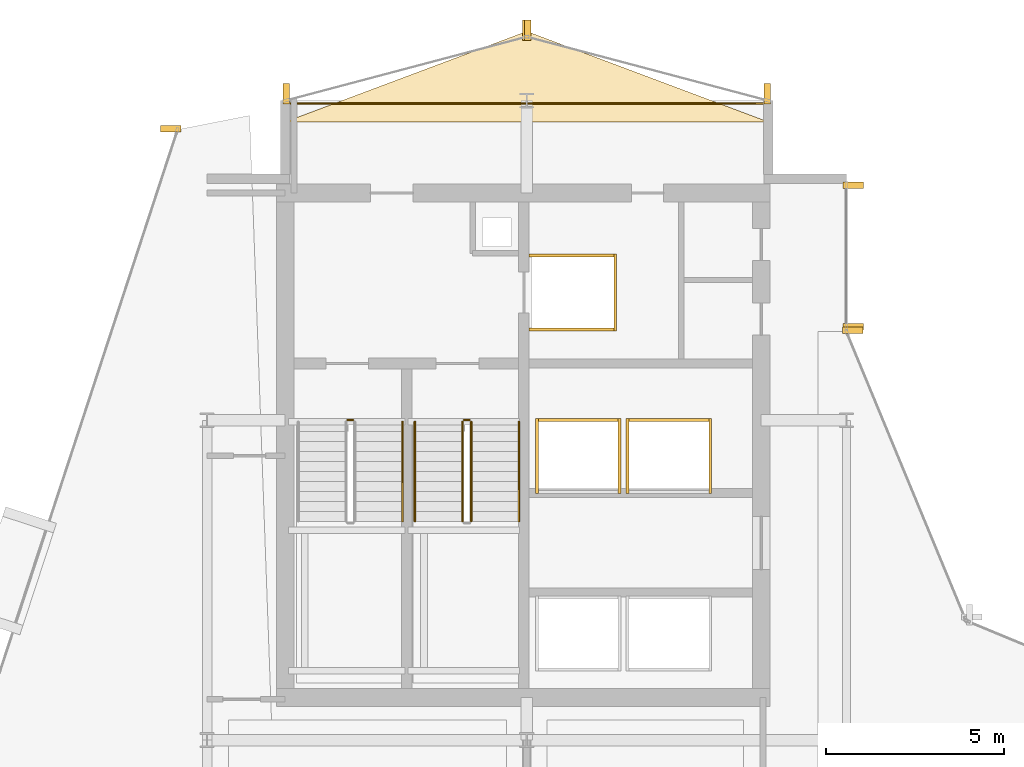
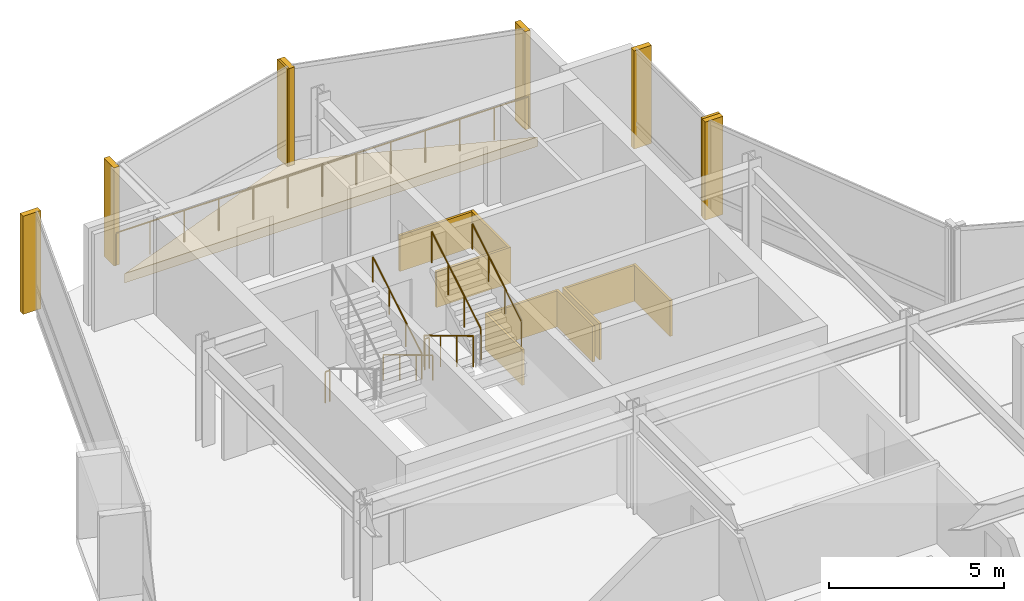
# One storey, part 27 of 27: 18 coverings, 8 railings.
"""IFC4 building model written with IfcOpenShell, lengths in metres."""

import ifcopenshell
import ifcopenshell.guid

model = None  # the IFC model being written
_history = None  # IfcOwnerHistory: only IFC2X3 demands one
_inside = {}  # id of a spatial element -> (the spatial element, [elements in it])
_under = {}  # id of a project, library or spatial element -> (it, [spatial elements below it])
_declared = {}  # id of a project -> (the project, [libraries it declares])
_typed = {}  # id of a type object -> (the type object, [elements of that type])
_made_of = {}  # id of a material, layer set ... -> (it, [elements and type objects made of it])


def new_model(schema):
    """Start an empty IFC model of exactly this schema.

    Asked for "IFC4X3", IfcOpenShell would pick the latest addendum, in which some entities
    have other attributes; the version numbers below select the first issue.
    IFC2X3 requires an IfcOwnerHistory on every rooted entity: one is made here for all.
    """
    global model, _history
    if schema == "IFC4X3":
        model = ifcopenshell.file(schema_version=(4, 3, 0, 0))
    else:
        model = ifcopenshell.file(schema=schema)
    _inside.clear()
    _under.clear()
    _declared.clear()
    _typed.clear()
    _made_of.clear()
    _history = None
    if model.schema == "IFC2X3":
        org = make("IfcOrganization", Name="unknown")
        user = make(
            "IfcPersonAndOrganization",
            ThePerson=make("IfcPerson", FamilyName="unknown"),
            TheOrganization=org,
        )
        app = make(
            "IfcApplication",
            ApplicationDeveloper=org,
            Version="unknown",
            ApplicationFullName="unknown",
            ApplicationIdentifier="unknown",
        )
        _history = make(
            "IfcOwnerHistory",
            OwningUser=user,
            OwningApplication=app,
            ChangeAction="ADDED",
            CreationDate=0,
        )
    return model


def make(cls, **values):
    """One entity of the class cls with the attributes given. An attribute that is None is left unset."""
    return model.create_entity(
        cls, **{name: value for name, value in values.items() if value is not None}
    )


def rooted(cls, **values):
    """An entity with a GlobalId (a new one), such as an element, a storey or a relation."""
    return make(cls, GlobalId=ifcopenshell.guid.new(), OwnerHistory=_history, **values)


def si_unit(unit_type, name, prefix=None):
    """IfcSIUnit, for example si_unit("LENGTHUNIT", "METRE", prefix="MILLI")."""
    return make("IfcSIUnit", UnitType=unit_type, Prefix=prefix, Name=name)


def assignment(units):
    """IfcUnitAssignment: the units of a project."""
    return None if units is None else make("IfcUnitAssignment", Units=units)


def point(xyz):
    """IfcCartesianPoint."""
    return None if xyz is None else make("IfcCartesianPoint", Coordinates=xyz)


def direction(xyz):
    """IfcDirection."""
    return None if xyz is None else make("IfcDirection", DirectionRatios=xyz)


def frame(location, z_axis=None, x_axis=None):
    """IfcAxis2Placement3D, a coordinate frame: its origin and axes. An axis left out is left unset."""
    return make(
        "IfcAxis2Placement3D",
        Location=point(location),
        Axis=direction(z_axis),
        RefDirection=direction(x_axis),
    )


def frame_2d(location, x_axis=None):
    """IfcAxis2Placement2D, a coordinate frame in the plane: its origin and x axis."""
    return make(
        "IfcAxis2Placement2D", Location=point(location), RefDirection=direction(x_axis)
    )


def origin():
    """The frame at (0, 0, 0) with its axes left unset."""
    return frame((0.0, 0.0, 0.0))


def origin_2d():
    """The frame at (0, 0) in the plane with its x axis left unset."""
    return frame_2d((0.0, 0.0))


def place(relative_to, where):
    """IfcLocalPlacement: puts the frame where relative to a parent placement (None: the world)."""
    return make(
        "IfcLocalPlacement", PlacementRelTo=relative_to, RelativePlacement=where
    )


def context(
    kind, dimensions, precision=None, world=None, true_north=None, identifier=None
):
    """IfcGeometricRepresentationContext, for example the 3D "Model" context."""
    return make(
        "IfcGeometricRepresentationContext",
        ContextIdentifier=identifier,
        ContextType=kind,
        CoordinateSpaceDimension=dimensions,
        Precision=precision,
        WorldCoordinateSystem=world,
        TrueNorth=true_north,
    )


def subcontext(parent, identifier, kind, view, scale=None):
    """IfcGeometricRepresentationSubContext, for example "Body" below "Model"."""
    return make(
        "IfcGeometricRepresentationSubContext",
        ContextIdentifier=identifier,
        ContextType=kind,
        ParentContext=parent,
        TargetScale=scale,
        TargetView=view,
    )


def project(units=None, contexts=None):
    """IfcProject with its units and contexts."""
    return rooted(
        "IfcProject",
        Name="project",
        RepresentationContexts=contexts,
        UnitsInContext=assignment(units),
    )


def spatial(cls, under=None, at=None, **own):
    """A site, building, storey or space (cls), placed at a placement, below another one or the project."""
    s = rooted(cls, ObjectPlacement=at, **own)
    if under is not None:
        _under.setdefault(under.id(), (under, []))[1].append(s)
    return s


def polyline(points):
    """IfcPolyline through the points."""
    return make("IfcPolyline", Points=[point(p) for p in points])


def profile(cls, at=None, kind="AREA", **sizes):
    """A parametric profile (cls). Its sizes go by their IFC names, for example OverallWidth=200.0."""
    return make(cls, ProfileType=kind, Position=at, **sizes)


def rectangle(**sizes):
    """IfcRectangleProfileDef."""
    return profile("IfcRectangleProfileDef", **sizes)


def circle(**sizes):
    """IfcCircleProfileDef."""
    return profile("IfcCircleProfileDef", **sizes)


def outline(outer, holes=None, kind="AREA"):
    """IfcArbitraryClosedProfileDef: a profile drawn as a closed curve; with holes, ...WithVoids."""
    if holes is None:
        return make("IfcArbitraryClosedProfileDef", ProfileType=kind, OuterCurve=outer)
    return make(
        "IfcArbitraryProfileDefWithVoids",
        ProfileType=kind,
        OuterCurve=outer,
        InnerCurves=holes,
    )


def extrude(swept, where, along, depth):
    """IfcExtrudedAreaSolid: the profile swept, set in the frame where, extruded along a direction by depth."""
    return make(
        "IfcExtrudedAreaSolid",
        SweptArea=swept,
        Position=where,
        ExtrudedDirection=direction(along),
        Depth=depth,
    )


def shape(context_of_items, identifier, shape_type, items):
    """IfcShapeRepresentation: the items that make up one representation, for example the "Body"."""
    return make(
        "IfcShapeRepresentation",
        ContextOfItems=context_of_items,
        RepresentationIdentifier=identifier,
        RepresentationType=shape_type,
        Items=items,
    )


def material(Name=None, Category=None):
    """IfcMaterial."""
    return make("IfcMaterial", Name=Name, Category=Category)


def layer(
    of_material, thickness, ventilated=None, Name=None, Category=None, Priority=None
):
    """IfcMaterialLayer: one layer of a wall or slab, of a material (None: an air gap)."""
    return make(
        "IfcMaterialLayer",
        Material=of_material,
        LayerThickness=thickness,
        IsVentilated=ventilated,
        Name=Name,
        Category=Category,
        Priority=Priority,
    )


def layer_set(layers, Name=None):
    """IfcMaterialLayerSet."""
    return make("IfcMaterialLayerSet", MaterialLayers=layers, LayerSetName=Name)


def made_of(thing, what):
    """Note that an element or type object is made of a material, layer set ...; save() writes the relation."""
    if what is not None:
        _made_of.setdefault(what.id(), (what, []))[1].append(thing)
    return thing


def type_object(cls, material=None, **own):
    """A type object (cls), such as IfcWallType, which elements share."""
    return made_of(rooted(cls, **own), material)


def element(
    cls,
    number,
    at=None,
    inside=None,
    cuts=None,
    type_object=None,
    material=None,
    context=None,
    identifier="Body",
    shape_type=None,
    held_by="IfcProductDefinitionShape",
    body=None,
    shapes=None,
    **own,
):
    """One element of the class cls, such as IfcWall. Its Tag is "e" and its number.

    at: its placement. inside: the storey or other place that contains it. cuts: it is an
    opening in that element (IfcRelVoidsElement). A single representation is given by context,
    identifier, shape_type and body (its items); several are given by shapes. held_by: the class
    of the entity that holds the representations. save() writes the other relations.
    """
    e = rooted(cls, Tag="e%d" % number, ObjectPlacement=at, **own)
    if body is not None:
        shapes = [shape(context, identifier, shape_type, body)]
    if shapes is not None:
        e.Representation = make(held_by, Representations=shapes)
    if inside is not None:
        _inside.setdefault(inside.id(), (inside, []))[1].append(e)
    if cuts is not None:
        rooted(
            "IfcRelVoidsElement", RelatingBuildingElement=cuts, RelatedOpeningElement=e
        )
    if type_object is not None:
        _typed.setdefault(type_object.id(), (type_object, []))[1].append(e)
    return made_of(e, material)


def aggregate(whole, parts):
    """IfcRelAggregates: a whole, such as a stair, and the parts it consists of."""
    return rooted("IfcRelAggregates", RelatingObject=whole, RelatedObjects=parts)


def save(model, path):
    """Write the relations noted so far, then the file.

    IfcRelAggregates (storeys below a building ...), IfcRelContainedInSpatialStructure (elements
    in a storey), IfcRelDefinesByType, IfcRelAssociatesMaterial and IfcRelDeclares: one each for
    every whole, place, type object, material and project.
    """
    for whole, parts in _under.values():
        aggregate(whole, parts)
    for where, things in _inside.values():
        rooted(
            "IfcRelContainedInSpatialStructure",
            RelatedElements=things,
            RelatingStructure=where,
        )
    for kind, things in _typed.values():
        rooted("IfcRelDefinesByType", RelatedObjects=things, RelatingType=kind)
    for what, things in _made_of.values():
        rooted("IfcRelAssociatesMaterial", RelatedObjects=things, RelatingMaterial=what)
    for by, libraries in _declared.values():
        rooted("IfcRelDeclares", RelatingContext=by, RelatedDefinitions=libraries)
    model.write(path)


model = new_model("IFC4")

# Units and contexts
model_context = context("Model", 3, precision=1e-05, world=origin(), true_north=direction((0.0, 1.0)))
body_context = subcontext(model_context, "Body", "Model", "MODEL_VIEW")
ifc_project = project(units=[si_unit("LENGTHUNIT", "METRE"), si_unit("AREAUNIT", "SQUARE_METRE"), si_unit("VOLUMEUNIT", "CUBIC_METRE"), si_unit("PLANEANGLEUNIT", "RADIAN"), si_unit("MASSUNIT", "GRAM", prefix="KILO")], contexts=[model_context])

# Site, building, storey
site_placement = place(None, origin())
site = spatial("IfcSite", under=ifc_project, at=site_placement, CompositionType="ELEMENT")
building_placement = place(site_placement, origin())
building = spatial("IfcBuilding", under=site, at=building_placement, Name="Solvaryn Broadcast Tower", CompositionType="ELEMENT")
storey_placement = place(building_placement, frame((0.0, 0.0, 174.199951171875)))
storey = spatial("IfcBuildingStorey", under=building, at=storey_placement, Name="L43", CompositionType="ELEMENT", Elevation=174.199951171875)

# Coverings
ifc_material_1 = material(Name="Fire-Rated Gypsum Shaftwall Liner", Category="concrete")
ifc_layer_1 = layer(ifc_material_1, 0.080078125)
ifc_layer_set_1 = layer_set([ifc_layer_1], Name="CV-SHAFT-LINER")
covering_type_1 = type_object("IfcCoveringType", Name="CV-SHAFT-LINER", PredefinedType="CLADDING", material=ifc_layer_set_1)
for number, where, z_axis, x_axis, name in (
    (1, (19.300048828125, 40.639892578125, 0.0), (0.0, 0.0, 1.0), (1.0, 0.0, 0.0), "L43 FL1 Hoistway Shaft Liner North"),
    (2, (19.300048828125, 38.56005859375, 0.0), (0.0, 0.0, 1.0), (1.0, 0.0, 0.0), "L43 FL1 Hoistway Shaft Liner South"),
):
    element("IfcCovering", number, at=place(storey_placement, frame(where, z_axis=z_axis, x_axis=x_axis)), inside=storey, type_object=covering_type_1, Name=name, PredefinedType="CLADDING", context=body_context, shape_type="SweptSolid", body=[
        extrude(rectangle(XDim=2.4599609375, YDim=0.080078125, at=origin_2d()), origin(), (0.0, 0.0, 1.0), 1.25),
    ])
covering_1_placement = place(storey_placement, frame((20.489990234375, 39.60009765625, 0.0), z_axis=(0.0, 0.0, 1.0), x_axis=(1.0, 0.0, 0.0)))
element("IfcCovering", 3, at=covering_1_placement, inside=storey, type_object=covering_type_1, Name="L43 FL1 Hoistway Shaft Liner East", PredefinedType="CLADDING", context=body_context, shape_type="SweptSolid", body=[
    extrude(rectangle(XDim=0.080078125, YDim=2.159912109375, at=origin_2d()), origin(), (0.0, 0.0, 1.0), 1.25),
])
covering_2_placement = place(storey_placement, frame((19.449951171875, 36.014892578125, 0.0), z_axis=(0.0, 0.0, 1.0), x_axis=(1.0, 0.0, 0.0)))
element("IfcCovering", 4, at=covering_2_placement, inside=storey, type_object=covering_type_1, Name="L43 PH3 Hoistway Shaft Liner North", PredefinedType="CLADDING", context=body_context, shape_type="SweptSolid", body=[
    extrude(rectangle(XDim=2.409912109375, YDim=0.080078125, at=origin_2d()), origin(), (0.0, 0.0, 1.0), 1.25),
])
for number, where, z_axis, x_axis, name in (
    (5, (20.614990234375, 35.0, 0.0), (0.0, 0.0, 1.0), (1.0, 0.0, 0.0), "L43 PH3 Hoistway Shaft Liner East"),
    (6, (18.284912109375, 35.0, 0.0), (0.0, 0.0, 1.0), (1.0, 0.0, 0.0), "L43 PH3 Hoistway Shaft Liner West"),
):
    element("IfcCovering", number, at=place(storey_placement, frame(where, z_axis=z_axis, x_axis=x_axis)), inside=storey, type_object=covering_type_1, Name=name, PredefinedType="CLADDING", context=body_context, shape_type="SweptSolid", body=[
        extrude(rectangle(XDim=0.080078125, YDim=2.110107421875, at=origin_2d()), origin(), (0.0, 0.0, 1.0), 1.25),
    ])
covering_3_placement = place(storey_placement, frame((22.0, 36.014892578125, 0.0), z_axis=(0.0, 0.0, 1.0), x_axis=(1.0, 0.0, 0.0)))
element("IfcCovering", 7, at=covering_3_placement, inside=storey, type_object=covering_type_1, Name="L43 PH4 Hoistway Shaft Liner North", PredefinedType="CLADDING", context=body_context, shape_type="SweptSolid", body=[
    extrude(rectangle(XDim=2.409912109375, YDim=0.080078125, at=origin_2d()), origin(), (0.0, 0.0, 1.0), 1.25),
])
for number, where, z_axis, x_axis, name in (
    (8, (23.1650390625, 35.0, 0.0), (0.0, 0.0, 1.0), (1.0, 0.0, 0.0), "L43 PH4 Hoistway Shaft Liner East"),
    (9, (20.8349609375, 35.0, 0.0), (0.0, 0.0, 1.0), (1.0, 0.0, 0.0), "L43 PH4 Hoistway Shaft Liner West"),
):
    element("IfcCovering", number, at=place(storey_placement, frame(where, z_axis=z_axis, x_axis=x_axis)), inside=storey, type_object=covering_type_1, Name=name, PredefinedType="CLADDING", context=body_context, shape_type="SweptSolid", body=[
        extrude(rectangle(XDim=0.080078125, YDim=2.110107421875, at=origin_2d()), origin(), (0.0, 0.0, 1.0), 1.25),
    ])
ifc_material_2 = material(Name="Extruded Architectural Terracotta Fin", Category="masonry")
ifc_layer_2 = layer(ifc_material_2, 0.179931640625)
ifc_layer_set_2 = layer_set([ifc_layer_2], Name="CV-TC-FIN")
covering_type_2 = type_object("IfcCoveringType", Name="CV-TC-FIN", PredefinedType="USERDEFINED", material=ifc_layer_set_2)
for number, where, z_axis, x_axis, name in (
    (10, (7.982666015625, 44.209716796875, 0.0), (0.0, 0.0, 1.0), (1.0, 0.0, 0.0), "L43 Terracotta Vertical Fin FIN-L43-DR1-M00"),
    (11, (27.1875, 42.6201171875, 0.0), (0.0, 0.0, 1.0), (1.0, 0.0, 0.0), "L43 Terracotta Vertical Fin FIN-L43-IV-M00"),
    (12, (27.1875, 38.6298828125, 0.0), (0.0, 0.0, 1.0), (1.0, 0.0, 0.0), "L43 Terracotta Vertical Fin FIN-L43-IV-M01"),
    (13, (27.177978515625, 38.541259765625, 0.0), (0.0, 0.0, 1.0), (1.0, 0.0, 0.0), "L43 Terracotta Vertical Fin FIN-L43-CN2-M01"),
):
    element("IfcCovering", number, at=place(storey_placement, frame(where, z_axis=z_axis, x_axis=x_axis)), inside=storey, type_object=covering_type_2, Name=name, ObjectType="FIN", PredefinedType="USERDEFINED", context=body_context, shape_type="SweptSolid", body=[
        extrude(rectangle(XDim=0.580078125, YDim=0.179931640625, at=origin_2d()), origin(), (0.0, 0.0, 1.0), 3.419921875),
    ])
for number, where, z_axis, x_axis, name in (
    (14, (24.77099609375, 45.1953125, 0.0), (0.0, 0.0, 1.0), (1.0, 0.0, 0.0), "L43 Terracotta Vertical Fin FIN-L43-NT1-M00"),
    (15, (18.029052734375, 46.979736328125, 0.0), (0.0, 0.0, 1.0), (1.0, 0.0, 0.0), "L43 Terracotta Vertical Fin FIN-L43-NT1-M01"),
    (16, (17.970947265625, 46.979736328125, 0.0), (0.0, 0.0, 1.0), (1.0, 0.0, 0.0), "L43 Terracotta Vertical Fin FIN-L43-NT2-M00"),
    (17, (11.22900390625, 45.1953125, 0.0), (0.0, 0.0, 1.0), (1.0, 0.0, 0.0), "L43 Terracotta Vertical Fin FIN-L43-NT2-M01"),
):
    element("IfcCovering", number, at=place(storey_placement, frame(where, z_axis=z_axis, x_axis=x_axis)), inside=storey, type_object=covering_type_2, Name=name, ObjectType="FIN", PredefinedType="USERDEFINED", context=body_context, shape_type="SweptSolid", body=[
        extrude(rectangle(XDim=0.179931640625, YDim=0.580078125, at=origin_2d()), origin(), (0.0, 0.0, 1.0), 3.419921875),
    ])
ifc_material_3 = material(Name="Sculpted Architectural Terracotta Wave Fascia", Category="masonry")
ifc_layer_3 = layer(ifc_material_3, 0.340087890625)
ifc_layer_set_3 = layer_set([ifc_layer_3], Name="CV-WAVE-TRAY")
covering_type_3 = type_object("IfcCoveringType", Name="CV-WAVE-TRAY", PredefinedType="CLADDING", material=ifc_layer_set_3)
covering_4_placement = place(storey_placement, frame((0.0, 0.0, -0.300048828125)))
element("IfcCovering", 18, at=covering_4_placement, inside=storey, type_object=covering_type_3, Name="L43 North Curved Wing Deck", PredefinedType="CLADDING", context=body_context, shape_type="SweptSolid", body=[
    extrude(outline(polyline([(11.199951171875, 44.39990234375), (24.800048828125, 44.39990234375), (18.0, 46.949951171875), (11.199951171875, 44.39990234375)])), origin(), (0.0, 0.0, 1.0), 0.330078125),
])

# Railings
ifc_material_4 = material(Name="Painted Steel Stair Well Guard", Category="steel")
railing_type_1 = type_object("IfcRailingType", Name="RL-STAIR-GUARD", PredefinedType="BALUSTRADE", material=ifc_material_4)
railing_1_placement = place(storey_placement, frame((12.9599609375, 36.010009765625, 0.0)))
element("IfcRailing", 19, at=railing_1_placement, inside=storey, type_object=railing_type_1, Name="L43 ST1 stair guard 4", PredefinedType="BALUSTRADE", context=body_context, shape_type="SweptSolid", body=[
    extrude(circle(Radius=0.02392578125, at=origin_2d()), frame((0.0, 0.0, 1.076171875), z_axis=(1.0, 0.0, 0.0), x_axis=(0.0, 1.0, 0.0)), (0.0, 0.0, 1.0), 0.150146484375),
    extrude(circle(Radius=0.02099609375, at=origin_2d()), origin(), (0.0, 0.0, 1.0), 1.052001953125),
    extrude(circle(Radius=0.02099609375, at=origin_2d()), frame((0.150146484375, 0.0, 0.0)), (0.0, 0.0, 1.0), 1.052001953125),
])
railing_2_placement = place(storey_placement, frame((16.18994140625, 35.9599609375, 0.168212890625)))
element("IfcRailing", 20, at=railing_2_placement, inside=storey, type_object=railing_type_1, Name="L43 ST2 stair guard 1", PredefinedType="BALUSTRADE", context=body_context, shape_type="SweptSolid", body=[
    extrude(circle(Radius=0.02392578125, at=origin_2d()), frame((0.0, 0.0, 1.076171875), z_axis=(0.0, -0.857242210791, 0.514913383045), x_axis=(1.0, 0.0, 0.0)), (0.0, 0.0, 1.0), 3.266357421875),
    extrude(circle(Radius=0.02099609375, at=origin_2d()), origin(), (0.0, 0.0, 1.0), 1.052001953125),
    extrude(circle(Radius=0.02099609375, at=origin_2d()), frame((0.0, -0.933349609375, 0.560546875)), (0.0, 0.0, 1.0), 1.052001953125),
    extrude(circle(Radius=0.02099609375, at=origin_2d()), frame((0.0, -1.86669921875, 1.121337890625)), (0.0, 0.0, 1.0), 1.052001953125),
    extrude(circle(Radius=0.02099609375, at=origin_2d()), frame((0.0, -2.800048828125, 1.681884765625)), (0.0, 0.0, 1.0), 1.052001953125),
])
railing_3_placement = place(storey_placement, frame((16.43994140625, 33.159912109375, 2.018310546875)))
element("IfcRailing", 21, at=railing_3_placement, inside=storey, type_object=railing_type_1, Name="L43 ST2 stair guard 3", PredefinedType="BALUSTRADE", context=body_context, shape_type="SweptSolid", body=[
    extrude(circle(Radius=0.02392578125, at=origin_2d()), frame((0.0, 0.0, 1.076171875), z_axis=(0.0, 0.857275202839, 0.514858452973), x_axis=(-1.0, 0.0, 0.0)), (0.0, 0.0, 1.0), 3.26611328125),
    extrude(circle(Radius=0.02099609375, at=origin_2d()), origin(), (0.0, 0.0, 1.0), 1.052001953125),
    extrude(circle(Radius=0.02099609375, at=origin_2d()), frame((0.0, 0.933349609375, 0.560546875)), (0.0, 0.0, 1.0), 1.052001953125),
    extrude(circle(Radius=0.02099609375, at=origin_2d()), frame((0.0, 1.86669921875, 1.12109375)), (0.0, 0.0, 1.0), 1.052001953125),
    extrude(circle(Radius=0.02099609375, at=origin_2d()), frame((0.0, 2.800048828125, 1.681640625)), (0.0, 0.0, 1.0), 1.052001953125),
])
railing_4_placement = place(storey_placement, frame((16.239990234375, 36.010009765625, 0.0)))
element("IfcRailing", 22, at=railing_4_placement, inside=storey, type_object=railing_type_1, Name="L43 ST2 stair guard 4", PredefinedType="BALUSTRADE", context=body_context, shape_type="SweptSolid", body=[
    extrude(circle(Radius=0.02392578125, at=origin_2d()), frame((0.0, 0.0, 1.076171875), z_axis=(1.0, 0.0, 0.0), x_axis=(0.0, 1.0, 0.0)), (0.0, 0.0, 1.0), 0.14990234375),
    extrude(circle(Radius=0.02099609375, at=origin_2d()), origin(), (0.0, 0.0, 1.0), 1.052001953125),
    extrude(circle(Radius=0.02099609375, at=origin_2d()), frame((0.14990234375, 0.0, 0.0)), (0.0, 0.0, 1.0), 1.052001953125),
])
ifc_material_5 = material(Name="Brushed Stainless Steel Tubular Handrail", Category="steel")
railing_type_2 = type_object("IfcRailingType", Name="RL-STAIR-HANDRAIL", PredefinedType="HANDRAIL", material=ifc_material_5)
railing_5_placement = place(storey_placement, frame((14.5, 33.159912109375, 2.018310546875)))
element("IfcRailing", 23, at=railing_5_placement, inside=storey, type_object=railing_type_2, Name="L43 ST1 stair handrail 2", PredefinedType="HANDRAIL", context=body_context, shape_type="SweptSolid", body=[
    extrude(circle(Radius=0.02392578125, at=origin_2d()), frame((0.0, 0.0, 0.8759765625), z_axis=(0.0, 0.857275202839, 0.514858452973), x_axis=(-1.0, 0.0, 0.0)), (0.0, 0.0, 1.0), 3.26611328125),
    extrude(circle(Radius=0.02099609375, at=origin_2d()), origin(), (0.0, 0.0, 1.0), 0.851806640625),
    extrude(circle(Radius=0.02099609375, at=origin_2d()), frame((0.0, 0.933349609375, 0.560546875)), (0.0, 0.0, 1.0), 0.851806640625),
    extrude(circle(Radius=0.02099609375, at=origin_2d()), frame((0.0, 1.86669921875, 1.12109375)), (0.0, 0.0, 1.0), 0.851806640625),
    extrude(circle(Radius=0.02099609375, at=origin_2d()), frame((0.0, 2.800048828125, 1.681640625)), (0.0, 0.0, 1.0), 0.851806640625),
])
railing_6_placement = place(storey_placement, frame((14.85009765625, 35.9599609375, 0.168212890625)))
element("IfcRailing", 24, at=railing_6_placement, inside=storey, type_object=railing_type_2, Name="L43 ST2 stair handrail 1", PredefinedType="HANDRAIL", context=body_context, shape_type="SweptSolid", body=[
    extrude(circle(Radius=0.02392578125, at=origin_2d()), frame((0.0, 0.0, 0.8759765625), z_axis=(0.0, -0.857242210791, 0.514913383045), x_axis=(1.0, 0.0, 0.0)), (0.0, 0.0, 1.0), 3.266357421875),
    extrude(circle(Radius=0.02099609375, at=origin_2d()), origin(), (0.0, 0.0, 1.0), 0.851806640625),
    extrude(circle(Radius=0.02099609375, at=origin_2d()), frame((0.0, -0.933349609375, 0.560546875)), (0.0, 0.0, 1.0), 0.851806640625),
    extrude(circle(Radius=0.02099609375, at=origin_2d()), frame((0.0, -1.86669921875, 1.121337890625)), (0.0, 0.0, 1.0), 0.851806640625),
    extrude(circle(Radius=0.02099609375, at=origin_2d()), frame((0.0, -2.800048828125, 1.681884765625)), (0.0, 0.0, 1.0), 0.851806640625),
])
railing_7_placement = place(storey_placement, frame((17.780029296875, 33.159912109375, 2.018310546875)))
element("IfcRailing", 25, at=railing_7_placement, inside=storey, type_object=railing_type_2, Name="L43 ST2 stair handrail 2", PredefinedType="HANDRAIL", context=body_context, shape_type="SweptSolid", body=[
    extrude(circle(Radius=0.02392578125, at=origin_2d()), frame((0.0, 0.0, 0.8759765625), z_axis=(0.0, 0.857275202839, 0.514858452973), x_axis=(-1.0, 0.0, 0.0)), (0.0, 0.0, 1.0), 3.26611328125),
    extrude(circle(Radius=0.02099609375, at=origin_2d()), origin(), (0.0, 0.0, 1.0), 0.851806640625),
    extrude(circle(Radius=0.02099609375, at=origin_2d()), frame((0.0, 0.933349609375, 0.560546875)), (0.0, 0.0, 1.0), 0.851806640625),
    extrude(circle(Radius=0.02099609375, at=origin_2d()), frame((0.0, 1.86669921875, 1.12109375)), (0.0, 0.0, 1.0), 0.851806640625),
    extrude(circle(Radius=0.02099609375, at=origin_2d()), frame((0.0, 2.800048828125, 1.681640625)), (0.0, 0.0, 1.0), 0.851806640625),
])
ifc_material_6 = material(Name="Stainless Steel and Laminated Glass Guard", Category="steel")
railing_type_3 = type_object("IfcRailingType", Name="RL-TER-1150", PredefinedType="BALUSTRADE", material=ifc_material_6)
railing_8_placement = place(storey_placement, frame((11.199951171875, 44.919921875, 0.0)))
element("IfcRailing", 26, at=railing_8_placement, inside=storey, type_object=railing_type_3, Name="L43 North Wing Spandrel Edge Guard", PredefinedType="BALUSTRADE", context=body_context, shape_type="SweptSolid", body=[
    extrude(circle(Radius=0.02392578125, at=origin_2d()), frame((0.0, 0.0, 1.1259765625), z_axis=(1.0, 0.0, 0.0), x_axis=(0.0, 1.0, 0.0)), (0.0, 0.0, 1.0), 13.60009765625),
    extrude(circle(Radius=0.02099609375, at=origin_2d()), origin(), (0.0, 0.0, 1.0), 1.101806640625),
    extrude(circle(Radius=0.02099609375, at=origin_2d()), frame((1.13330078125, 0.0, 0.0)), (0.0, 0.0, 1.0), 1.101806640625),
    extrude(circle(Radius=0.02099609375, at=origin_2d()), frame((2.2666015625, 0.0, 0.0)), (0.0, 0.0, 1.0), 1.101806640625),
    extrude(circle(Radius=0.02099609375, at=origin_2d()), frame((3.39990234375, 0.0, 0.0)), (0.0, 0.0, 1.0), 1.101806640625),
    extrude(circle(Radius=0.02099609375, at=origin_2d()), frame((4.533447265625, 0.0, 0.0)), (0.0, 0.0, 1.0), 1.101806640625),
    extrude(circle(Radius=0.02099609375, at=origin_2d()), frame((5.666748046875, 0.0, 0.0)), (0.0, 0.0, 1.0), 1.101806640625),
    extrude(circle(Radius=0.02099609375, at=origin_2d()), frame((6.800048828125, 0.0, 0.0)), (0.0, 0.0, 1.0), 1.101806640625),
    extrude(circle(Radius=0.02099609375, at=origin_2d()), frame((7.933349609375, 0.0, 0.0)), (0.0, 0.0, 1.0), 1.101806640625),
    extrude(circle(Radius=0.02099609375, at=origin_2d()), frame((9.066650390625, 0.0, 0.0)), (0.0, 0.0, 1.0), 1.101806640625),
    extrude(circle(Radius=0.02099609375, at=origin_2d()), frame((10.2001953125, 0.0, 0.0)), (0.0, 0.0, 1.0), 1.101806640625),
    extrude(circle(Radius=0.02099609375, at=origin_2d()), frame((11.33349609375, 0.0, 0.0)), (0.0, 0.0, 1.0), 1.101806640625),
    extrude(circle(Radius=0.02099609375, at=origin_2d()), frame((12.466796875, 0.0, 0.0)), (0.0, 0.0, 1.0), 1.101806640625),
    extrude(circle(Radius=0.02099609375, at=origin_2d()), frame((13.60009765625, 0.0, 0.0)), (0.0, 0.0, 1.0), 1.101806640625),
])

save(model, "model.ifc")
